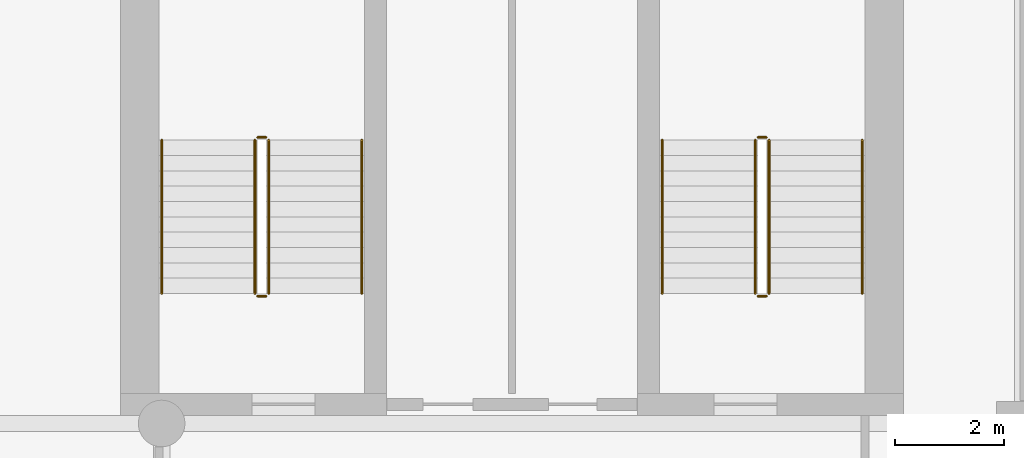
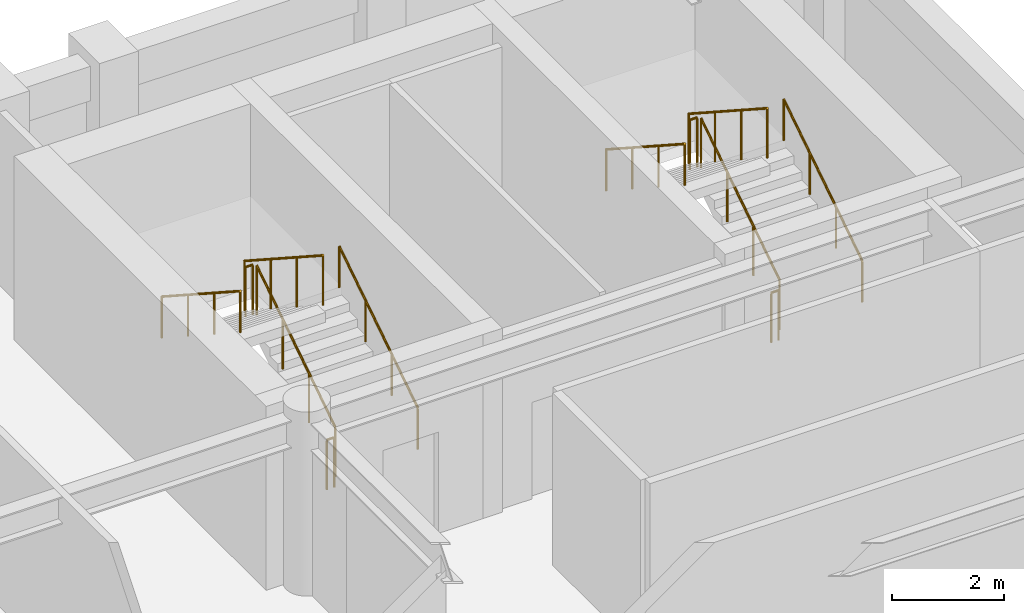
# One storey, part 10 of 10: 12 railings.
"""IFC4 building model written with IfcOpenShell, lengths in metres."""

from ifc_helpers import new_model, si_unit, direction, frame, origin, origin_2d, place, context, subcontext, project, spatial, circle, extrude, material, type_object, element, save


model = new_model("IFC4")

# Units and contexts
model_context = context("Model", 3, precision=1e-05, world=origin(), true_north=direction((0.0, 1.0)))
body_context = subcontext(model_context, "Body", "Model", "MODEL_VIEW")
ifc_project = project(units=[si_unit("LENGTHUNIT", "METRE"), si_unit("AREAUNIT", "SQUARE_METRE"), si_unit("VOLUMEUNIT", "CUBIC_METRE"), si_unit("PLANEANGLEUNIT", "RADIAN"), si_unit("MASSUNIT", "GRAM", prefix="KILO")], contexts=[model_context])

# Site, building, storey
site_placement = place(None, origin())
site = spatial("IfcSite", under=ifc_project, at=site_placement, CompositionType="ELEMENT")
building_placement = place(site_placement, origin())
building = spatial("IfcBuilding", under=site, at=building_placement, Name="Sulina Concourse Tower", CompositionType="ELEMENT")
storey_placement = place(building_placement, frame((0.0, 0.0, 214.60009765625)))
storey = spatial("IfcBuildingStorey", under=building, at=storey_placement, Name="L52", CompositionType="ELEMENT", Elevation=214.60009765625)

# Railings
ifc_material_1 = material(Name="Galvanised steel railing", Category="steel")
railing_type_1 = type_object("IfcRailingType", Name="Core Stair Steel Guardrail 1150mm", PredefinedType="GUARDRAIL", material=ifc_material_1)
railing_1_placement = place(storey_placement, frame((43.554931640625, 36.375, 0.181640625)))
element("IfcRailing", 1, at=railing_1_placement, inside=storey, type_object=railing_type_1, Name="L52 ST-3 stair guard 1", PredefinedType="GUARDRAIL", context=body_context, shape_type="SweptSolid", body=[
    extrude(circle(Radius=0.02392578125, at=origin_2d()), frame((0.0, 0.0, 1.076171875), z_axis=(0.0, 0.838672427954, 0.544636170843), x_axis=(-1.0, 0.0, 0.0)), (0.0, 0.0, 1.0), 3.338623046875),
    extrude(circle(Radius=0.02099609375, at=origin_2d()), origin(), (0.0, 0.0, 1.0), 1.052001953125),
    extrude(circle(Radius=0.02099609375, at=origin_2d()), frame((0.0, 0.933349609375, 0.606201171875)), (0.0, 0.0, 1.0), 1.052001953125),
    extrude(circle(Radius=0.02099609375, at=origin_2d()), frame((0.0, 1.86669921875, 1.212158203125)), (0.0, 0.0, 1.0), 1.052001953125),
    extrude(circle(Radius=0.02099609375, at=origin_2d()), frame((0.0, 2.800048828125, 1.818359375)), (0.0, 0.0, 1.0), 1.052001953125),
])
railing_2_placement = place(storey_placement, frame((43.5048828125, 39.22509765625, 2.0)))
element("IfcRailing", 2, at=railing_2_placement, inside=storey, type_object=railing_type_1, Name="L52 ST-3 stair guard 2", PredefinedType="GUARDRAIL", context=body_context, shape_type="SweptSolid", body=[
    extrude(circle(Radius=0.02392578125, at=origin_2d()), frame((0.0, 0.0, 1.076171875), z_axis=(-1.0, 0.0, 0.0), x_axis=(0.0, -1.0, 0.0)), (0.0, 0.0, 1.0), 0.14990234375),
    extrude(circle(Radius=0.02099609375, at=origin_2d()), origin(), (0.0, 0.0, 1.0), 1.052001953125),
    extrude(circle(Radius=0.02099609375, at=origin_2d()), frame((-0.14990234375, 0.0, 0.0)), (0.0, 0.0, 1.0), 1.052001953125),
])
railing_3_placement = place(storey_placement, frame((43.304931640625, 39.175048828125, 2.181640625)))
element("IfcRailing", 3, at=railing_3_placement, inside=storey, type_object=railing_type_1, Name="L52 ST-3 stair guard 3", PredefinedType="GUARDRAIL", context=body_context, shape_type="SweptSolid", body=[
    extrude(circle(Radius=0.02392578125, at=origin_2d()), frame((0.0, 0.0, 1.076171875), z_axis=(0.0, -0.838672427954, 0.544636170843), x_axis=(1.0, 0.0, 0.0)), (0.0, 0.0, 1.0), 3.338623046875),
    extrude(circle(Radius=0.02099609375, at=origin_2d()), origin(), (0.0, 0.0, 1.0), 1.052001953125),
    extrude(circle(Radius=0.02099609375, at=origin_2d()), frame((0.0, -0.933349609375, 0.606201171875)), (0.0, 0.0, 1.0), 1.052001953125),
    extrude(circle(Radius=0.02099609375, at=origin_2d()), frame((0.0, -1.86669921875, 1.212158203125)), (0.0, 0.0, 1.0), 1.052001953125),
    extrude(circle(Radius=0.02099609375, at=origin_2d()), frame((0.0, -2.800048828125, 1.818359375)), (0.0, 0.0, 1.0), 1.052001953125),
])
railing_4_placement = place(storey_placement, frame((43.5048828125, 36.324951171875, 0.0)))
element("IfcRailing", 4, at=railing_4_placement, inside=storey, type_object=railing_type_1, Name="L52 ST-3 stair guard 4", PredefinedType="GUARDRAIL", context=body_context, shape_type="SweptSolid", body=[
    extrude(circle(Radius=0.02392578125, at=origin_2d()), frame((0.0, 0.0, 1.076171875), z_axis=(-1.0, 0.0, 0.0), x_axis=(0.0, -1.0, 0.0)), (0.0, 0.0, 1.0), 0.14990234375),
    extrude(circle(Radius=0.02099609375, at=origin_2d()), origin(), (0.0, 0.0, 1.0), 1.052001953125),
    extrude(circle(Radius=0.02099609375, at=origin_2d()), frame((-0.14990234375, 0.0, 0.0)), (0.0, 0.0, 1.0), 1.052001953125),
])
railing_5_placement = place(storey_placement, frame((52.695068359375, 36.375, 0.181640625)))
element("IfcRailing", 5, at=railing_5_placement, inside=storey, type_object=railing_type_1, Name="L52 ST-4 stair guard 1", PredefinedType="GUARDRAIL", context=body_context, shape_type="SweptSolid", body=[
    extrude(circle(Radius=0.02392578125, at=origin_2d()), frame((0.0, 0.0, 1.076171875), z_axis=(0.0, 0.838672427954, 0.544636170843), x_axis=(-1.0, 0.0, 0.0)), (0.0, 0.0, 1.0), 3.338623046875),
    extrude(circle(Radius=0.02099609375, at=origin_2d()), origin(), (0.0, 0.0, 1.0), 1.052001953125),
    extrude(circle(Radius=0.02099609375, at=origin_2d()), frame((0.0, 0.933349609375, 0.606201171875)), (0.0, 0.0, 1.0), 1.052001953125),
    extrude(circle(Radius=0.02099609375, at=origin_2d()), frame((0.0, 1.86669921875, 1.212158203125)), (0.0, 0.0, 1.0), 1.052001953125),
    extrude(circle(Radius=0.02099609375, at=origin_2d()), frame((0.0, 2.800048828125, 1.818359375)), (0.0, 0.0, 1.0), 1.052001953125),
])
railing_6_placement = place(storey_placement, frame((52.64501953125, 39.22509765625, 2.0)))
element("IfcRailing", 6, at=railing_6_placement, inside=storey, type_object=railing_type_1, Name="L52 ST-4 stair guard 2", PredefinedType="GUARDRAIL", context=body_context, shape_type="SweptSolid", body=[
    extrude(circle(Radius=0.02392578125, at=origin_2d()), frame((0.0, 0.0, 1.076171875), z_axis=(-1.0, 0.0, 0.0), x_axis=(0.0, -1.0, 0.0)), (0.0, 0.0, 1.0), 0.14990234375),
    extrude(circle(Radius=0.02099609375, at=origin_2d()), origin(), (0.0, 0.0, 1.0), 1.052001953125),
    extrude(circle(Radius=0.02099609375, at=origin_2d()), frame((-0.14990234375, 0.0, 0.0)), (0.0, 0.0, 1.0), 1.052001953125),
])
railing_7_placement = place(storey_placement, frame((52.445068359375, 39.175048828125, 2.181640625)))
element("IfcRailing", 7, at=railing_7_placement, inside=storey, type_object=railing_type_1, Name="L52 ST-4 stair guard 3", PredefinedType="GUARDRAIL", context=body_context, shape_type="SweptSolid", body=[
    extrude(circle(Radius=0.02392578125, at=origin_2d()), frame((0.0, 0.0, 1.076171875), z_axis=(0.0, -0.838672427954, 0.544636170843), x_axis=(1.0, 0.0, 0.0)), (0.0, 0.0, 1.0), 3.338623046875),
    extrude(circle(Radius=0.02099609375, at=origin_2d()), origin(), (0.0, 0.0, 1.0), 1.052001953125),
    extrude(circle(Radius=0.02099609375, at=origin_2d()), frame((0.0, -0.933349609375, 0.606201171875)), (0.0, 0.0, 1.0), 1.052001953125),
    extrude(circle(Radius=0.02099609375, at=origin_2d()), frame((0.0, -1.86669921875, 1.212158203125)), (0.0, 0.0, 1.0), 1.052001953125),
    extrude(circle(Radius=0.02099609375, at=origin_2d()), frame((0.0, -2.800048828125, 1.818359375)), (0.0, 0.0, 1.0), 1.052001953125),
])
railing_8_placement = place(storey_placement, frame((52.64501953125, 36.324951171875, 0.0)))
element("IfcRailing", 8, at=railing_8_placement, inside=storey, type_object=railing_type_1, Name="L52 ST-4 stair guard 4", PredefinedType="GUARDRAIL", context=body_context, shape_type="SweptSolid", body=[
    extrude(circle(Radius=0.02392578125, at=origin_2d()), frame((0.0, 0.0, 1.076171875), z_axis=(-1.0, 0.0, 0.0), x_axis=(0.0, -1.0, 0.0)), (0.0, 0.0, 1.0), 0.14990234375),
    extrude(circle(Radius=0.02099609375, at=origin_2d()), origin(), (0.0, 0.0, 1.0), 1.052001953125),
    extrude(circle(Radius=0.02099609375, at=origin_2d()), frame((-0.14990234375, 0.0, 0.0)), (0.0, 0.0, 1.0), 1.052001953125),
])
ifc_material_2 = material(Name="Galvanised steel railing", Category="steel")
railing_type_2 = type_object("IfcRailingType", Name="Stair Wall Steel Handrail 920mm", PredefinedType="HANDRAIL", material=ifc_material_2)
railing_9_placement = place(storey_placement, frame((45.2548828125, 36.375, 0.181640625)))
element("IfcRailing", 9, at=railing_9_placement, inside=storey, type_object=railing_type_2, Name="L52 ST-3 stair handrail 1", PredefinedType="HANDRAIL", context=body_context, shape_type="SweptSolid", body=[
    extrude(circle(Radius=0.02392578125, at=origin_2d()), frame((0.0, 0.0, 0.89599609375), z_axis=(0.0, 0.838672427954, 0.544636170843), x_axis=(-1.0, 0.0, 0.0)), (0.0, 0.0, 1.0), 3.338623046875),
    extrude(circle(Radius=0.02099609375, at=origin_2d()), origin(), (0.0, 0.0, 1.0), 0.871826171875),
    extrude(circle(Radius=0.02099609375, at=origin_2d()), frame((0.0, 0.933349609375, 0.606201171875)), (0.0, 0.0, 1.0), 0.871826171875),
    extrude(circle(Radius=0.02099609375, at=origin_2d()), frame((0.0, 1.86669921875, 1.212158203125)), (0.0, 0.0, 1.0), 0.871826171875),
    extrude(circle(Radius=0.02099609375, at=origin_2d()), frame((0.0, 2.800048828125, 1.818359375)), (0.0, 0.0, 1.0), 0.871826171875),
])
railing_10_placement = place(storey_placement, frame((41.60498046875, 39.175048828125, 2.181640625)))
element("IfcRailing", 10, at=railing_10_placement, inside=storey, type_object=railing_type_2, Name="L52 ST-3 stair handrail 2", PredefinedType="HANDRAIL", context=body_context, shape_type="SweptSolid", body=[
    extrude(circle(Radius=0.02392578125, at=origin_2d()), frame((0.0, 0.0, 0.89599609375), z_axis=(0.0, -0.838672427954, 0.544636170843), x_axis=(1.0, 0.0, 0.0)), (0.0, 0.0, 1.0), 3.338623046875),
    extrude(circle(Radius=0.02099609375, at=origin_2d()), origin(), (0.0, 0.0, 1.0), 0.871826171875),
    extrude(circle(Radius=0.02099609375, at=origin_2d()), frame((0.0, -0.933349609375, 0.606201171875)), (0.0, 0.0, 1.0), 0.871826171875),
    extrude(circle(Radius=0.02099609375, at=origin_2d()), frame((0.0, -1.86669921875, 1.212158203125)), (0.0, 0.0, 1.0), 0.871826171875),
    extrude(circle(Radius=0.02099609375, at=origin_2d()), frame((0.0, -2.800048828125, 1.818359375)), (0.0, 0.0, 1.0), 0.871826171875),
])
railing_11_placement = place(storey_placement, frame((54.39501953125, 36.375, 0.181640625)))
element("IfcRailing", 11, at=railing_11_placement, inside=storey, type_object=railing_type_2, Name="L52 ST-4 stair handrail 1", PredefinedType="HANDRAIL", context=body_context, shape_type="SweptSolid", body=[
    extrude(circle(Radius=0.02392578125, at=origin_2d()), frame((0.0, 0.0, 0.89599609375), z_axis=(0.0, 0.838672427954, 0.544636170843), x_axis=(-1.0, 0.0, 0.0)), (0.0, 0.0, 1.0), 3.338623046875),
    extrude(circle(Radius=0.02099609375, at=origin_2d()), origin(), (0.0, 0.0, 1.0), 0.871826171875),
    extrude(circle(Radius=0.02099609375, at=origin_2d()), frame((0.0, 0.933349609375, 0.606201171875)), (0.0, 0.0, 1.0), 0.871826171875),
    extrude(circle(Radius=0.02099609375, at=origin_2d()), frame((0.0, 1.86669921875, 1.212158203125)), (0.0, 0.0, 1.0), 0.871826171875),
    extrude(circle(Radius=0.02099609375, at=origin_2d()), frame((0.0, 2.800048828125, 1.818359375)), (0.0, 0.0, 1.0), 0.871826171875),
])
railing_12_placement = place(storey_placement, frame((50.7451171875, 39.175048828125, 2.181640625)))
element("IfcRailing", 12, at=railing_12_placement, inside=storey, type_object=railing_type_2, Name="L52 ST-4 stair handrail 2", PredefinedType="HANDRAIL", context=body_context, shape_type="SweptSolid", body=[
    extrude(circle(Radius=0.02392578125, at=origin_2d()), frame((0.0, 0.0, 0.89599609375), z_axis=(0.0, -0.838672427954, 0.544636170843), x_axis=(1.0, 0.0, 0.0)), (0.0, 0.0, 1.0), 3.338623046875),
    extrude(circle(Radius=0.02099609375, at=origin_2d()), origin(), (0.0, 0.0, 1.0), 0.871826171875),
    extrude(circle(Radius=0.02099609375, at=origin_2d()), frame((0.0, -0.933349609375, 0.606201171875)), (0.0, 0.0, 1.0), 0.871826171875),
    extrude(circle(Radius=0.02099609375, at=origin_2d()), frame((0.0, -1.86669921875, 1.212158203125)), (0.0, 0.0, 1.0), 0.871826171875),
    extrude(circle(Radius=0.02099609375, at=origin_2d()), frame((0.0, -2.800048828125, 1.818359375)), (0.0, 0.0, 1.0), 0.871826171875),
])

save(model, "model.ifc")
